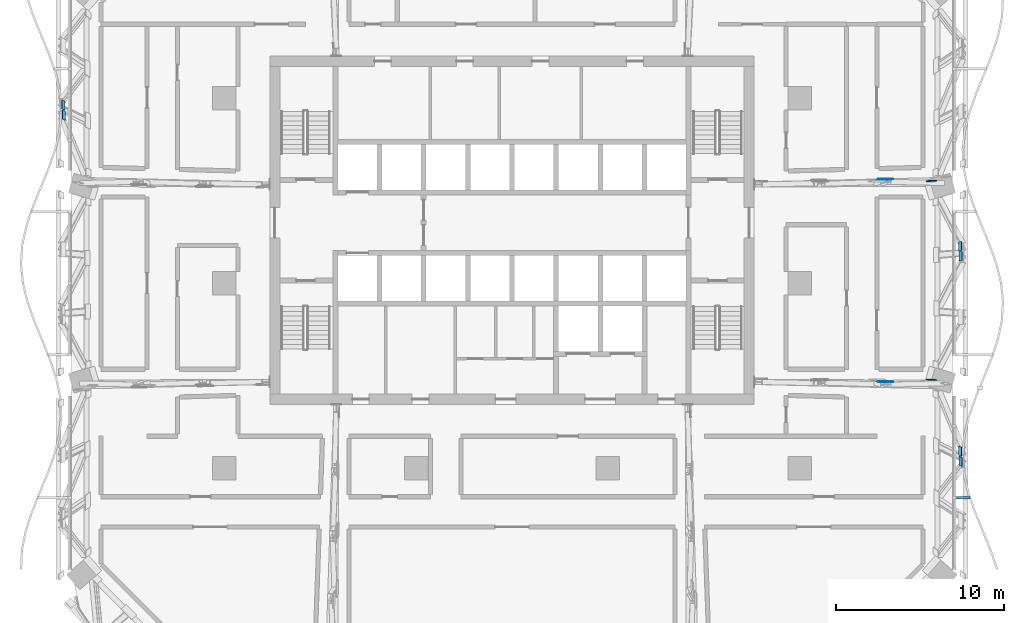
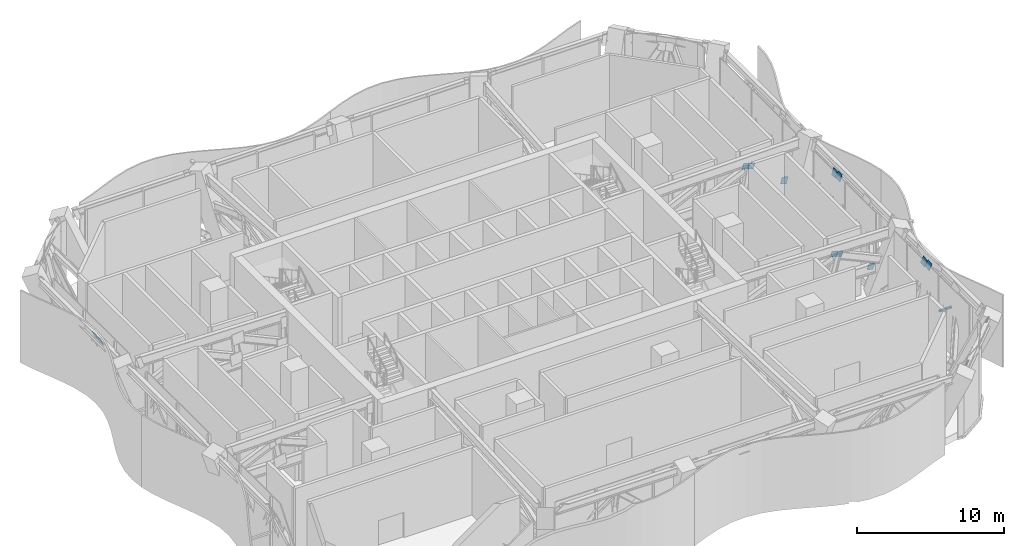
# One storey, part 18 of 26: 13 discrete accessories.
"""IFC4 building model written with IfcOpenShell, lengths in metres."""

from ifc_helpers import new_model, si_unit, direction, frame, origin, origin_2d, place, context, subcontext, project, spatial, rectangle, extrude, material, layer, layer_set, type_object, element, save


model = new_model("IFC4")

# Units and contexts
model_context = context("Model", 3, precision=1e-05, world=origin(), true_north=direction((0.0, 1.0)))
body_context = subcontext(model_context, "Body", "Model", "MODEL_VIEW")
ifc_project = project(units=[si_unit("LENGTHUNIT", "METRE"), si_unit("AREAUNIT", "SQUARE_METRE"), si_unit("VOLUMEUNIT", "CUBIC_METRE"), si_unit("PLANEANGLEUNIT", "RADIAN"), si_unit("MASSUNIT", "GRAM", prefix="KILO")], contexts=[model_context])

# Site, building, storey
site_placement = place(None, origin())
site = spatial("IfcSite", under=ifc_project, at=site_placement, CompositionType="ELEMENT")
building_placement = place(site_placement, origin())
building = spatial("IfcBuilding", under=site, at=building_placement, Name="Mopane Tessera Tower", CompositionType="ELEMENT")
storey_placement = place(building_placement, frame((0.0, 0.0, 205.0)))
storey = spatial("IfcBuildingStorey", under=building, at=storey_placement, Name="L43", CompositionType="ELEMENT", Elevation=205.0)

# Discrete accessories
ifc_material_1 = material(Name="Stainless steel S316", Category="steel")
discrete_accessory_type_1 = type_object("IfcDiscreteAccessoryType", Name="Louvre bracket 150 x 150", PredefinedType="BRACKET", material=ifc_material_1)
discrete_accessory_1_placement = place(storey_placement, frame((26.744384765625, -12.75, 2.51513671875), z_axis=(0.0, 0.0, 1.0), x_axis=(1.0, 0.0, 0.0)))
element("IfcDiscreteAccessory", 1, at=discrete_accessory_1_placement, inside=storey, type_object=discrete_accessory_type_1, Name="e:lv:L43:E:0:br0", PredefinedType="BRACKET", context=body_context, shape_type="SweptSolid", body=[
    extrude(rectangle(XDim=0.96875, YDim=0.14990234375, at=origin_2d()), origin(), (0.0, 0.0, 1.0), 0.14990234375),
])
ifc_material_2 = material(Name="Structural steel S460", Category="steel")
ifc_layer = layer(ifc_material_2, 0.030029296875)
ifc_layer_set = layer_set([ifc_layer], Name="Structural steel S460")
discrete_accessory_type_2 = type_object("IfcDiscreteAccessoryType", Name="Truss node plate 30 mm", PredefinedType="BRACKET", material=ifc_layer_set)
discrete_accessory_2_placement = place(storey_placement, frame((21.903564453125, -5.8427734375, 4.43115234375), z_axis=(0.199509091493, -0.058124695947, 0.978170558815), x_axis=(0.014618628734, 0.998304643155, 0.056339463513)))
element("IfcDiscreteAccessory", 2, at=discrete_accessory_2_placement, inside=storey, type_object=discrete_accessory_type_2, Name="Truss node plate s ot L43 E1 4", PredefinedType="BRACKET", context=body_context, shape_type="SweptSolid", body=[
    extrude(rectangle(XDim=0.030029296875, YDim=0.4560546875, at=origin_2d()), origin(), (0.0, 0.0, 1.0), 0.46630859375),
])
discrete_accessory_3_placement = place(storey_placement, frame((22.36669921875, -5.843505859375, 4.299072265625), z_axis=(0.211975880606, -0.062130861557, 0.975297894022), x_axis=(0.017730030888, 0.998057266284, 0.059727206717)))
element("IfcDiscreteAccessory", 3, at=discrete_accessory_3_placement, inside=storey, type_object=discrete_accessory_type_2, Name="Truss node plate s ot L43 E1 6", PredefinedType="BRACKET", context=body_context, shape_type="SweptSolid", body=[
    extrude(rectangle(XDim=0.030029296875, YDim=0.4560546875, at=origin_2d()), origin(), (0.0, 0.0, 1.0), 0.467529296875),
])
discrete_accessory_4_placement = place(storey_placement, frame((24.858154296875, -5.7177734375, 2.251708984375), z_axis=(0.287881919859, -0.083946550323, 0.953979547426), x_axis=(0.027359548398, 0.996465009837, 0.07942883155)))
element("IfcDiscreteAccessory", 4, at=discrete_accessory_4_placement, inside=storey, type_object=discrete_accessory_type_2, Name="Truss node plate s ot L43 E1 7", PredefinedType="BRACKET", context=body_context, shape_type="SweptSolid", body=[
    extrude(rectangle(XDim=0.030029296875, YDim=0.489990234375, at=origin_2d()), origin(), (0.0, 0.0, 1.0), 0.53515625),
])
discrete_accessory_5_placement = place(storey_placement, frame((21.902587890625, 6.17578125, 4.43115234375), z_axis=(0.199006209983, 0.058130761337, 0.978272632232), x_axis=(-0.015297414966, 0.998301824615, -0.056209038996)))
element("IfcDiscreteAccessory", 5, at=discrete_accessory_5_placement, inside=storey, type_object=discrete_accessory_type_2, Name="Truss node plate s ot L43 E2 4", PredefinedType="BRACKET", context=body_context, shape_type="SweptSolid", body=[
    extrude(rectangle(XDim=0.030029296875, YDim=0.4560546875, at=origin_2d()), origin(), (0.0, 0.0, 1.0), 0.466064453125),
])
discrete_accessory_6_placement = place(storey_placement, frame((22.36572265625, 6.176513671875, 4.299072265625), z_axis=(0.211477150084, 0.062137730519, 0.9754057194), x_axis=(-0.018367086982, 0.998053449745, -0.059598335274)))
element("IfcDiscreteAccessory", 6, at=discrete_accessory_6_placement, inside=storey, type_object=discrete_accessory_type_2, Name="Truss node plate s ot L43 E2 6", PredefinedType="BRACKET", context=body_context, shape_type="SweptSolid", body=[
    extrude(rectangle(XDim=0.030029296875, YDim=0.4560546875, at=origin_2d()), origin(), (0.0, 0.0, 1.0), 0.467529296875),
])
discrete_accessory_7_placement = place(storey_placement, frame((24.85693359375, 6.05078125, 2.251708984375), z_axis=(0.287881919859, 0.083946550323, 0.953979547426), x_axis=(-0.027359548398, 0.996465009837, -0.07942883155)))
element("IfcDiscreteAccessory", 7, at=discrete_accessory_7_placement, inside=storey, type_object=discrete_accessory_type_2, Name="Truss node plate s ot L43 E2 7", PredefinedType="BRACKET", context=body_context, shape_type="SweptSolid", body=[
    extrude(rectangle(XDim=0.030029296875, YDim=0.489990234375, at=origin_2d()), origin(), (0.0, 0.0, 1.0), 0.53515625),
])
discrete_accessory_8_placement = place(storey_placement, frame((26.588623046875, -10.546875, 4.668212890625), z_axis=(0.312038773206, -0.157284408657, 0.936959667654), x_axis=(-0.950068674546, -0.050466570748, 0.307932848009)))
element("IfcDiscreteAccessory", 8, at=discrete_accessory_8_placement, inside=storey, type_object=discrete_accessory_type_2, Name="Truss node plate s bt L43 E0-E1 4", PredefinedType="BRACKET", context=body_context, shape_type="SweptSolid", body=[
    extrude(rectangle(XDim=0.030029296875, YDim=0.542724609375, at=origin_2d()), origin(), (0.0, 0.0, 1.0), 0.5791015625),
])
discrete_accessory_9_placement = place(storey_placement, frame((26.572265625, -9.945556640625, 4.61962890625), z_axis=(0.31286254726, -0.148198048702, 0.938165425116), x_axis=(-0.949798296842, -0.049306085114, 0.308953241262)))
element("IfcDiscreteAccessory", 9, at=discrete_accessory_9_placement, inside=storey, type_object=discrete_accessory_type_2, Name="Truss node plate s bt L43 E0-E1 6", PredefinedType="BRACKET", context=body_context, shape_type="SweptSolid", body=[
    extrude(rectangle(XDim=0.030029296875, YDim=0.542724609375, at=origin_2d()), origin(), (0.0, 0.0, 1.0), 0.578125),
])
discrete_accessory_10_placement = place(storey_placement, frame((26.588623046875, 1.60205078125, 4.668212890625), z_axis=(0.315878299054, 0.024066918023, 0.948494429949), x_axis=(-0.948799704366, 0.008165801067, 0.315772767489)))
element("IfcDiscreteAccessory", 10, at=discrete_accessory_10_placement, inside=storey, type_object=discrete_accessory_type_2, Name="Truss node plate s bt L43 E1-E2 4", PredefinedType="BRACKET", context=body_context, shape_type="SweptSolid", body=[
    extrude(rectangle(XDim=0.030029296875, YDim=0.538818359375, at=origin_2d()), origin(), (0.0, 0.0, 1.0), 0.568115234375),
])
discrete_accessory_11_placement = place(storey_placement, frame((26.57177734375, 2.18994140625, 4.6181640625), z_axis=(0.316183583625, 0.033078989048, 0.948121153614), x_axis=(-0.948698003775, 0.010816370887, 0.315998581885)))
element("IfcDiscreteAccessory", 11, at=discrete_accessory_11_placement, inside=storey, type_object=discrete_accessory_type_2, Name="Truss node plate s bt L43 E1-E2 6", PredefinedType="BRACKET", context=body_context, shape_type="SweptSolid", body=[
    extrude(rectangle(XDim=0.030029296875, YDim=0.538818359375, at=origin_2d()), origin(), (0.0, 0.0, 1.0), 0.568359375),
])
discrete_accessory_12_placement = place(storey_placement, frame((-26.588623046875, 10.546875, 4.668212890625), z_axis=(-0.312038773206, 0.157284408657, 0.936959667654), x_axis=(0.950068674546, 0.050466570748, 0.307932848009)))
element("IfcDiscreteAccessory", 12, at=discrete_accessory_12_placement, inside=storey, type_object=discrete_accessory_type_2, Name="Truss node plate s bt L43 W0-W1 4", PredefinedType="BRACKET", context=body_context, shape_type="SweptSolid", body=[
    extrude(rectangle(XDim=0.030029296875, YDim=0.542724609375, at=origin_2d()), origin(), (0.0, 0.0, 1.0), 0.5791015625),
])
discrete_accessory_13_placement = place(storey_placement, frame((-26.572265625, 9.945556640625, 4.61962890625), z_axis=(-0.31286254726, 0.148198048702, 0.938165425116), x_axis=(0.949798296842, 0.049306085114, 0.308953241262)))
element("IfcDiscreteAccessory", 13, at=discrete_accessory_13_placement, inside=storey, type_object=discrete_accessory_type_2, Name="Truss node plate s bt L43 W0-W1 6", PredefinedType="BRACKET", context=body_context, shape_type="SweptSolid", body=[
    extrude(rectangle(XDim=0.030029296875, YDim=0.542724609375, at=origin_2d()), origin(), (0.0, 0.0, 1.0), 0.578125),
])

save(model, "model.ifc")
